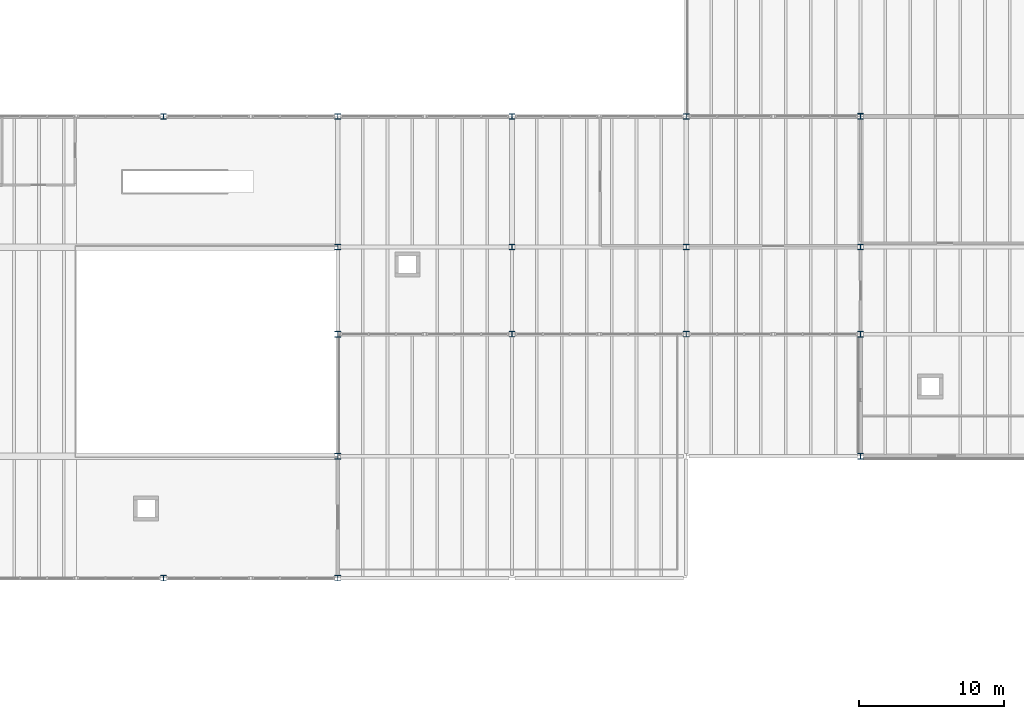
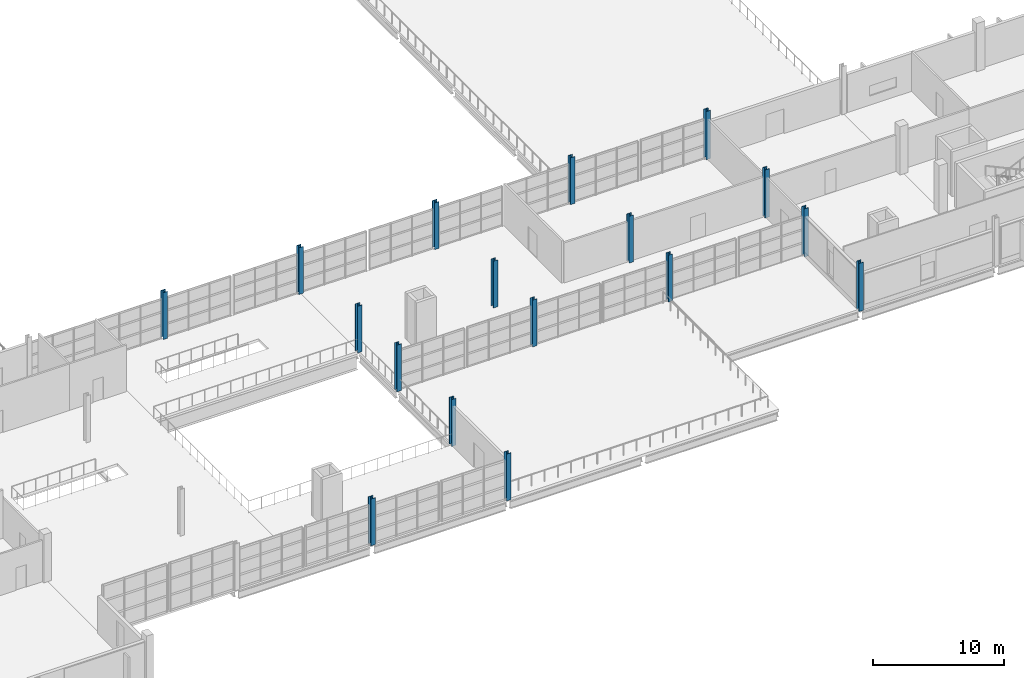
# One storey, part 4 of 78: 17 columns.
"""IFC4 building model written with IfcOpenShell, lengths in metres."""

from ifc_helpers import new_model, si_unit, direction, frame, origin, origin_2d, place, context, subcontext, project, spatial, i_section, extrude, material, material_profile, profile_set, type_object, element, save


model = new_model("IFC4")

# Units and contexts
model_context = context("Model", 3, precision=1e-05, world=origin(), true_north=direction((0.0, 1.0)))
body_context = subcontext(model_context, "Body", "Model", "MODEL_VIEW")
ifc_project = project(units=[si_unit("LENGTHUNIT", "METRE"), si_unit("AREAUNIT", "SQUARE_METRE"), si_unit("VOLUMEUNIT", "CUBIC_METRE"), si_unit("PLANEANGLEUNIT", "RADIAN"), si_unit("MASSUNIT", "GRAM", prefix="KILO")], contexts=[model_context])

# Site, building, storey
site_placement = place(None, origin())
site = spatial("IfcSite", under=ifc_project, at=site_placement, CompositionType="ELEMENT")
building_placement = place(site_placement, origin())
building = spatial("IfcBuilding", under=site, at=building_placement, Name="Kelmvaro Bay Concert Hall", CompositionType="ELEMENT")
storey_placement = place(building_placement, frame((0.0, 0.0, 9.300048828125)))
storey = spatial("IfcBuildingStorey", under=building, at=storey_placement, Name="L02", CompositionType="ELEMENT", Elevation=9.300048828125)

# Columns
ifc_material_1 = material(Name="Steel ASTM A992 Grade 50", Category="steel")
ifc_material_profile_1 = material_profile(ifc_material_1, i_section(OverallWidth=0.40087890625, OverallDepth=0.39892578125, WebThickness=0.02490234375, FlangeThickness=0.03955078125, at=origin_2d()), Name="W14X211")
ifc_profile_set_1 = profile_set([ifc_material_profile_1], Name="Steel ASTM A992 Grade 50")
column_type_1 = type_object("IfcColumnType", Name="Bridge Anchor Column W14x211", PredefinedType="COLUMN", material=ifc_profile_set_1)
for number, where, z_axis, x_axis, name in (
    (1, (120.0, 15.60009765625, 0.0), (0.0, 0.0, 1.0), (1.0, 0.0, 0.0), "L02 Column V4B-120-156"),
    (2, (120.0, 39.0, 0.0), (0.0, 0.0, 1.0), (1.0, 0.0, 0.0), "L02 Column V4B-120-390"),
):
    element("IfcColumn", number, at=place(storey_placement, frame(where, z_axis=z_axis, x_axis=x_axis)), inside=storey, type_object=column_type_1, Name=name, PredefinedType="COLUMN", context=body_context, shape_type="SweptSolid", body=[
        extrude(i_section(OverallWidth=0.40087890625, OverallDepth=0.39892578125, WebThickness=0.02490234375, FlangeThickness=0.03955078125, at=origin_2d()), origin(), (0.0, 0.0, 1.0), 4.5),
    ])
ifc_material_2 = material(Name="Steel ASTM A992 Grade 50", Category="steel")
ifc_material_profile_2 = material_profile(ifc_material_2, i_section(OverallWidth=0.40087890625, OverallDepth=0.39404296875, WebThickness=0.022705078125, FlangeThickness=0.03662109375, at=origin_2d()), Name="W14X193")
ifc_profile_set_2 = profile_set([ifc_material_profile_2], Name="Steel ASTM A992 Grade 50")
column_type_2 = type_object("IfcColumnType", Name="Bridge Support Column W14x193", PredefinedType="COLUMN", material=ifc_profile_set_2)
for number, where, z_axis, x_axis, name in (
    (3, (120.0, 24.0, 0.0), (0.0, 0.0, 1.0), (1.0, 0.0, 0.0), "L02 Column V4B-120-240"),
    (4, (120.0, 30.0, 0.0), (0.0, 0.0, 1.0), (1.0, 0.0, 0.0), "L02 Column V4B-120-300"),
):
    element("IfcColumn", number, at=place(storey_placement, frame(where, z_axis=z_axis, x_axis=x_axis)), inside=storey, type_object=column_type_2, Name=name, PredefinedType="COLUMN", context=body_context, shape_type="SweptSolid", body=[
        extrude(i_section(OverallWidth=0.40087890625, OverallDepth=0.39404296875, WebThickness=0.022705078125, FlangeThickness=0.03662109375, at=origin_2d()), origin(), (0.0, 0.0, 1.0), 4.5),
    ])
ifc_material_3 = material(Name="Steel ASTM A992 Grade 50", Category="steel")
ifc_material_profile_3 = material_profile(ifc_material_3, i_section(OverallWidth=0.39599609375, OverallDepth=0.381103515625, WebThickness=0.018798828125, FlangeThickness=0.0302734375, at=origin_2d()), Name="W14X159")
ifc_profile_set_3 = profile_set([ifc_material_profile_3], Name="Steel ASTM A992 Grade 50")
column_type_3 = type_object("IfcColumnType", Name="Foyer Concourse Column W14x159", PredefinedType="COLUMN", material=ifc_profile_set_3)
for number, where, z_axis, x_axis, name in (
    (5, (96.0, 24.0, 0.0), (0.0, 0.0, 1.0), (1.0, 0.0, 0.0), "L02 Column V5S-96-240"),
    (6, (96.0, 30.0, 0.0), (0.0, 0.0, 1.0), (1.0, 0.0, 0.0), "L02 Column V5S-96-300"),
    (7, (96.0, 39.0, 0.0), (0.0, 0.0, 1.0), (1.0, 0.0, 0.0), "L02 Column V5S-96-390"),
    (8, (108.0, 24.0, 0.0), (0.0, 0.0, 1.0), (1.0, 0.0, 0.0), "L02 Column V5S-108-240"),
    (9, (108.0, 30.0, 0.0), (0.0, 0.0, 1.0), (1.0, 0.0, 0.0), "L02 Column V5S-108-300"),
    (10, (108.0, 39.0, 0.0), (0.0, 0.0, 1.0), (1.0, 0.0, 0.0), "L02 Column V5S-108-390"),
):
    element("IfcColumn", number, at=place(storey_placement, frame(where, z_axis=z_axis, x_axis=x_axis)), inside=storey, type_object=column_type_3, Name=name, PredefinedType="COLUMN", context=body_context, shape_type="SweptSolid", body=[
        extrude(i_section(OverallWidth=0.39599609375, OverallDepth=0.381103515625, WebThickness=0.018798828125, FlangeThickness=0.0302734375, at=origin_2d()), origin(), (0.0, 0.0, 1.0), 4.369873046875),
    ])
ifc_material_4 = material(Name="Steel ASTM A992 Grade 50", Category="steel")
ifc_material_profile_4 = material_profile(ifc_material_4, i_section(OverallWidth=0.39892578125, OverallDepth=0.385986328125, WebThickness=0.02099609375, FlangeThickness=0.033203125, at=origin_2d()), Name="W14X176")
ifc_profile_set_4 = profile_set([ifc_material_profile_4], Name="Steel ASTM A992 Grade 50")
column_type_4 = type_object("IfcColumnType", Name="Foyer Heavy Column W14x176", PredefinedType="COLUMN", material=ifc_profile_set_4)
for number, where, z_axis, x_axis, name in (
    (11, (72.0, 7.199951171875, 0.0), (0.0, 0.0, 1.0), (1.0, 0.0, 0.0), "L02 Column V5S-72-72"),
    (12, (72.0, 39.0, 0.0), (0.0, 0.0, 1.0), (1.0, 0.0, 0.0), "L02 Column V5S-72-390"),
    (13, (84.0, 7.199951171875, 0.0), (0.0, 0.0, 1.0), (1.0, 0.0, 0.0), "L02 Column V5S-84-72"),
    (14, (84.0, 15.60009765625, 0.0), (0.0, 0.0, 1.0), (1.0, 0.0, 0.0), "L02 Column V5S-84-156"),
    (15, (84.0, 24.0, 0.0), (0.0, 0.0, 1.0), (1.0, 0.0, 0.0), "L02 Column V5S-84-240"),
    (16, (84.0, 30.0, 0.0), (0.0, 0.0, 1.0), (1.0, 0.0, 0.0), "L02 Column V5S-84-300"),
    (17, (84.0, 39.0, 0.0), (0.0, 0.0, 1.0), (1.0, 0.0, 0.0), "L02 Column V5S-84-390"),
):
    element("IfcColumn", number, at=place(storey_placement, frame(where, z_axis=z_axis, x_axis=x_axis)), inside=storey, type_object=column_type_4, Name=name, PredefinedType="COLUMN", context=body_context, shape_type="SweptSolid", body=[
        extrude(i_section(OverallWidth=0.39892578125, OverallDepth=0.385986328125, WebThickness=0.02099609375, FlangeThickness=0.033203125, at=origin_2d()), origin(), (0.0, 0.0, 1.0), 4.369873046875),
    ])

save(model, "model.ifc")
